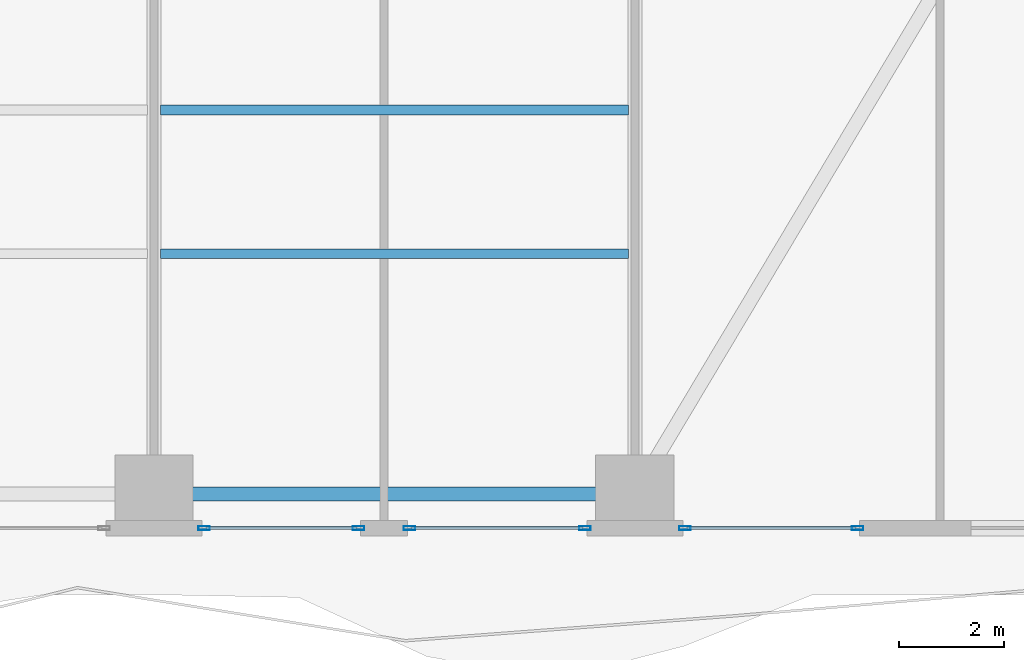
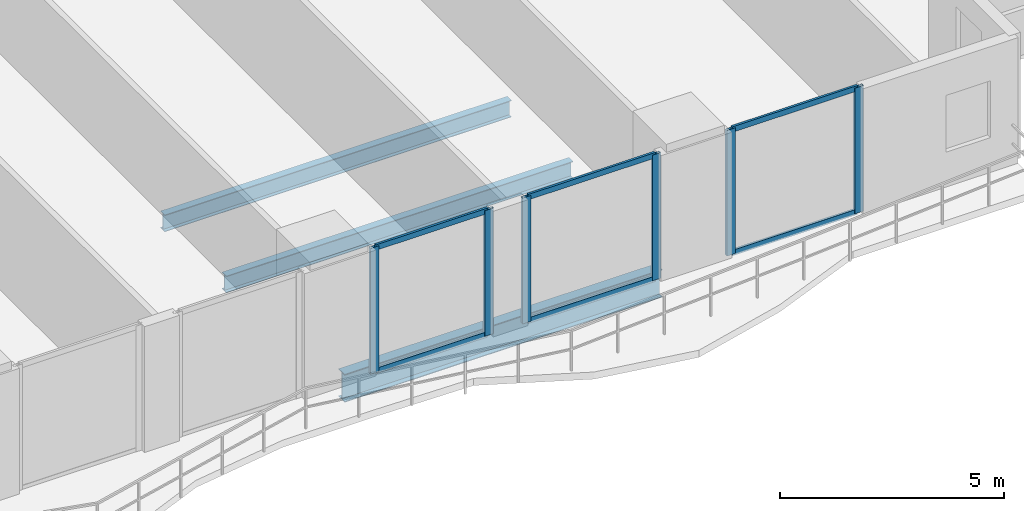
# One storey, part 8 of 29: 12 members, 3 beams, 3 elements without a shape of their own.
"""IFC4 building model written with IfcOpenShell, lengths in metres."""

from ifc_helpers import new_model, si_unit, direction, frame, origin, origin_2d, place, context, subcontext, project, spatial, hollow_rectangle, i_section, extrude, material, layer, layer_set, material_profile, profile_set, type_object, element, aggregate, save


model = new_model("IFC4")

# Units and contexts
model_context = context("Model", 3, precision=1e-05, world=origin(), true_north=direction((0.0, 1.0)))
body_context = subcontext(model_context, "Body", "Model", "MODEL_VIEW")
ifc_project = project(units=[si_unit("LENGTHUNIT", "METRE"), si_unit("AREAUNIT", "SQUARE_METRE"), si_unit("VOLUMEUNIT", "CUBIC_METRE"), si_unit("PLANEANGLEUNIT", "RADIAN"), si_unit("MASSUNIT", "GRAM", prefix="KILO")], contexts=[model_context])

# Site, building, storey
site_placement = place(None, origin())
site = spatial("IfcSite", under=ifc_project, at=site_placement, CompositionType="ELEMENT")
building_placement = place(site_placement, origin())
building = spatial("IfcBuilding", under=site, at=building_placement, Name="Zuhayl Quay Hotel", CompositionType="ELEMENT")
storey_placement = place(building_placement, frame((0.0, 0.0, 67.75)))
storey = spatial("IfcBuildingStorey", under=building, at=storey_placement, Name="L16", CompositionType="ELEMENT", Elevation=67.75)

# Beams
ifc_material_1 = material(Name="Steel ASTM A992 Grade 50", Category="steel")
ifc_material_profile_1 = material_profile(ifc_material_1, i_section(OverallWidth=0.26708984375, OverallDepth=0.761962890625, WebThickness=0.014404296875, FlangeThickness=0.021484375, at=origin_2d()), Name="W30X116")
ifc_profile_set_1 = profile_set([ifc_material_profile_1], Name="Steel ASTM A992 Grade 50")
beam_type_1 = type_object("IfcBeamType", Name="BM_B1_W30X116", PredefinedType="BEAM", material=ifc_profile_set_1)
beam_placement = place(storey_placement, frame((5.10009765625, -22.449951171875, -0.60107421875), z_axis=(1.0, 0.0, 0.0), x_axis=(0.0, 1.0, 0.0)))
element("IfcBeam", 1, at=beam_placement, inside=storey, type_object=beam_type_1, Name="L16 Floor Beam RG_L16_03", PredefinedType="BEAM", context=body_context, shape_type="SweptSolid", body=[
    extrude(i_section(OverallWidth=0.26708984375, OverallDepth=0.761962890625, WebThickness=0.014404296875, FlangeThickness=0.021484375, at=origin_2d()), origin(), (0.0, 0.0, 1.0), 8.199951171875),
])
ifc_material_profile_2 = material_profile(ifc_material_1, i_section(OverallWidth=0.18994140625, OverallDepth=0.45703125, WebThickness=0.009033203125, FlangeThickness=0.014404296875, at=origin_2d()), Name="W18X50")
ifc_profile_set_2 = profile_set([ifc_material_profile_2], Name="Steel ASTM A992 Grade 50")
beam_type_2 = type_object("IfcBeamType", Name="BM_J2_W18X50", PredefinedType="JOIST", material=ifc_profile_set_2)
for number, where, z_axis, x_axis, name in (
    (2, (4.7255859375, -17.85009765625, -0.448486328125), (1.0, 0.0, 0.0), (0.0, 1.0, 0.0), "L16 Floor Beam FJ_L16_3_3"),
    (3, (4.7255859375, -15.10009765625, -0.448486328125), (1.0, 0.0, 0.0), (0.0, 1.0, 0.0), "L16 Floor Beam FJ_L16_4_3"),
):
    element("IfcBeam", number, at=place(storey_placement, frame(where, z_axis=z_axis, x_axis=x_axis)), inside=storey, type_object=beam_type_2, Name=name, PredefinedType="JOIST", context=body_context, shape_type="SweptSolid", body=[
        extrude(i_section(OverallWidth=0.18994140625, OverallDepth=0.45703125, WebThickness=0.009033203125, FlangeThickness=0.014404296875, at=origin_2d()), origin(), (0.0, 0.0, 1.0), 8.948974609375),
    ])

# Curtain wall, members
ifc_material_2 = material(Name="Anodised Aluminium 6063-T6", Category="aluminium")
ifc_layer = layer(ifc_material_2, 0.18994140625, Name="Anodised Aluminium 6063-T6", Category="aluminium")
ifc_layer_set = layer_set([ifc_layer], Name="Anodised Aluminium 6063-T6")
curtain_wall_type = type_object("IfcCurtainWallType", Name="CW_SYS_Z1", PredefinedType="USERDEFINED", material=ifc_layer_set)
curtain_wall_1_placement = place(storey_placement, origin())
curtain_wall_1 = element("IfcCurtainWall", 4, at=curtain_wall_1_placement, inside=storey, type_object=curtain_wall_type, Name="L16 Curtain Wall ENV_L16_S_CW1", ObjectType="UNITISED CURTAIN WALL", PredefinedType="USERDEFINED")
ifc_material_3 = material(Name="Black-anodised aluminium 6063-T6", Category="aluminium")
ifc_material_profile_3 = material_profile(ifc_material_3, hollow_rectangle(XDim=0.074951171875, YDim=0.219970703125, WallThickness=0.00390625, at=origin_2d()), Name="ALU220X75")
ifc_profile_set_3 = profile_set([ifc_material_profile_3], Name="Black-anodised aluminium 6063-T6")
member_type_1 = type_object("IfcMemberType", Name="MB_CW_MUL_220", PredefinedType="MULLION", material=ifc_profile_set_3)
member_1_placement = place(storey_placement, frame((18.0625, -23.10009765625, 0.0), z_axis=(0.0, 0.0, 1.0), x_axis=(0.0, -1.0, 0.0)))
member_1 = element("IfcMember", 5, at=member_1_placement, type_object=member_type_1, Name="CW-Z1 mullion 1", PredefinedType="MULLION", context=body_context, shape_type="SweptSolid", body=[
    extrude(hollow_rectangle(XDim=0.074951171875, YDim=0.219970703125, WallThickness=0.00390625, at=origin_2d()), origin(), (0.0, 0.0, 1.0), 3.429931640625),
])
member_2_placement = place(storey_placement, frame((14.757568359375, -23.10009765625, 0.0), z_axis=(0.0, 0.0, 1.0), x_axis=(0.0, -1.0, 0.0)))
member_2 = element("IfcMember", 6, at=member_2_placement, type_object=member_type_1, Name="CW-Z1 mullion 2", PredefinedType="MULLION", context=body_context, shape_type="SweptSolid", body=[
    extrude(hollow_rectangle(XDim=0.074951171875, YDim=0.219970703125, WallThickness=0.00390625, at=origin_2d()), origin(), (0.0, 0.0, 1.0), 3.429931640625),
])

curtain_wall_2_placement = place(storey_placement, origin())
curtain_wall_2 = element("IfcCurtainWall", 7, at=curtain_wall_2_placement, inside=storey, type_object=curtain_wall_type, Name="L16 Curtain Wall ENV_L16_S_CW2", ObjectType="UNITISED CURTAIN WALL", PredefinedType="USERDEFINED")
member_3_placement = place(storey_placement, frame((12.842529296875, -23.10009765625, 0.0), z_axis=(0.0, 0.0, 1.0), x_axis=(0.0, -1.0, 0.0)))
member_3 = element("IfcMember", 8, at=member_3_placement, type_object=member_type_1, Name="CW-Z1 mullion 1", PredefinedType="MULLION", context=body_context, shape_type="SweptSolid", body=[
    extrude(hollow_rectangle(XDim=0.074951171875, YDim=0.219970703125, WallThickness=0.00390625, at=origin_2d()), origin(), (0.0, 0.0, 1.0), 3.429931640625),
])
member_4_placement = place(storey_placement, frame((9.487548828125, -23.10009765625, 0.0), z_axis=(0.0, 0.0, 1.0), x_axis=(0.0, -1.0, 0.0)))
member_4 = element("IfcMember", 9, at=member_4_placement, type_object=member_type_1, Name="CW-Z1 mullion 2", PredefinedType="MULLION", context=body_context, shape_type="SweptSolid", body=[
    extrude(hollow_rectangle(XDim=0.074951171875, YDim=0.219970703125, WallThickness=0.00390625, at=origin_2d()), origin(), (0.0, 0.0, 1.0), 3.429931640625),
])

curtain_wall_3_placement = place(storey_placement, origin())
curtain_wall_3 = element("IfcCurtainWall", 10, at=curtain_wall_3_placement, inside=storey, type_object=curtain_wall_type, Name="L16 Curtain Wall ENV_L16_S_CW3", ObjectType="UNITISED CURTAIN WALL", PredefinedType="USERDEFINED")
member_5_placement = place(storey_placement, frame((8.512451171875, -23.10009765625, 0.0), z_axis=(0.0, 0.0, 1.0), x_axis=(0.0, -1.0, 0.0)))
member_5 = element("IfcMember", 11, at=member_5_placement, type_object=member_type_1, Name="CW-Z1 mullion 1", PredefinedType="MULLION", context=body_context, shape_type="SweptSolid", body=[
    extrude(hollow_rectangle(XDim=0.074951171875, YDim=0.219970703125, WallThickness=0.00390625, at=origin_2d()), origin(), (0.0, 0.0, 1.0), 3.429931640625),
])
member_6_placement = place(storey_placement, frame((5.5576171875, -23.10009765625, 0.0), z_axis=(0.0, 0.0, 1.0), x_axis=(0.0, -1.0, 0.0)))
member_6 = element("IfcMember", 12, at=member_6_placement, type_object=member_type_1, Name="CW-Z1 mullion 2", PredefinedType="MULLION", context=body_context, shape_type="SweptSolid", body=[
    extrude(hollow_rectangle(XDim=0.074951171875, YDim=0.219970703125, WallThickness=0.00390625, at=origin_2d()), origin(), (0.0, 0.0, 1.0), 3.429931640625),
])

# Member
ifc_material_profile_4 = material_profile(ifc_material_3, hollow_rectangle(XDim=0.06005859375, YDim=0.14990234375, WallThickness=0.00341796875, at=origin_2d()), Name="ALU150X60")
ifc_profile_set_4 = profile_set([ifc_material_profile_4], Name="Black-anodised aluminium 6063-T6")
member_type_2 = type_object("IfcMemberType", Name="MB_CW_TRN_150", PredefinedType="USERDEFINED", material=ifc_profile_set_4)
member_7_placement = place(storey_placement, frame((18.02490234375, -23.10009765625, 0.030029296875), z_axis=(-1.0, 0.0, 0.0), x_axis=(0.0, -1.0, 0.0)))
member_7 = element("IfcMember", 13, at=member_7_placement, type_object=member_type_2, Name="CW-Z1 transom 1.1", ObjectType="TRANSOM", PredefinedType="USERDEFINED", context=body_context, shape_type="SweptSolid", body=[
    extrude(hollow_rectangle(XDim=0.06005859375, YDim=0.14990234375, WallThickness=0.00341796875, at=origin_2d()), origin(), (0.0, 0.0, 1.0), 3.22998046875),
])

member_8_placement = place(storey_placement, frame((18.02490234375, -23.10009765625, 3.39990234375), z_axis=(-1.0, 0.0, 0.0), x_axis=(0.0, -1.0, 0.0)))
member_8 = element("IfcMember", 14, at=member_8_placement, type_object=member_type_2, Name="CW-Z1 transom 1.2", ObjectType="TRANSOM", PredefinedType="USERDEFINED", context=body_context, shape_type="SweptSolid", body=[
    extrude(hollow_rectangle(XDim=0.06005859375, YDim=0.14990234375, WallThickness=0.00341796875, at=origin_2d()), origin(), (0.0, 0.0, 1.0), 3.22998046875),
])

aggregate(curtain_wall_1, [member_1, member_2, member_7, member_8])

member_9_placement = place(storey_placement, frame((12.804931640625, -23.10009765625, 0.030029296875), z_axis=(-1.0, 0.0, 0.0), x_axis=(0.0, -1.0, 0.0)))
member_9 = element("IfcMember", 15, at=member_9_placement, type_object=member_type_2, Name="CW-Z1 transom 1.1", ObjectType="TRANSOM", PredefinedType="USERDEFINED", context=body_context, shape_type="SweptSolid", body=[
    extrude(hollow_rectangle(XDim=0.06005859375, YDim=0.14990234375, WallThickness=0.00341796875, at=origin_2d()), origin(), (0.0, 0.0, 1.0), 3.280029296875),
])

member_10_placement = place(storey_placement, frame((12.804931640625, -23.10009765625, 3.39990234375), z_axis=(-1.0, 0.0, 0.0), x_axis=(0.0, -1.0, 0.0)))
member_10 = element("IfcMember", 16, at=member_10_placement, type_object=member_type_2, Name="CW-Z1 transom 1.2", ObjectType="TRANSOM", PredefinedType="USERDEFINED", context=body_context, shape_type="SweptSolid", body=[
    extrude(hollow_rectangle(XDim=0.06005859375, YDim=0.14990234375, WallThickness=0.00341796875, at=origin_2d()), origin(), (0.0, 0.0, 1.0), 3.280029296875),
])

aggregate(curtain_wall_2, [member_3, member_4, member_9, member_10])

member_11_placement = place(storey_placement, frame((8.47509765625, -23.10009765625, 0.030029296875), z_axis=(-1.0, 0.0, 0.0), x_axis=(0.0, -1.0, 0.0)))
member_11 = element("IfcMember", 17, at=member_11_placement, type_object=member_type_2, Name="CW-Z1 transom 1.1", ObjectType="TRANSOM", PredefinedType="USERDEFINED", context=body_context, shape_type="SweptSolid", body=[
    extrude(hollow_rectangle(XDim=0.06005859375, YDim=0.14990234375, WallThickness=0.00341796875, at=origin_2d()), origin(), (0.0, 0.0, 1.0), 2.880126953125),
])

member_12_placement = place(storey_placement, frame((8.47509765625, -23.10009765625, 3.39990234375), z_axis=(-1.0, 0.0, 0.0), x_axis=(0.0, -1.0, 0.0)))
member_12 = element("IfcMember", 18, at=member_12_placement, type_object=member_type_2, Name="CW-Z1 transom 1.2", ObjectType="TRANSOM", PredefinedType="USERDEFINED", context=body_context, shape_type="SweptSolid", body=[
    extrude(hollow_rectangle(XDim=0.06005859375, YDim=0.14990234375, WallThickness=0.00341796875, at=origin_2d()), origin(), (0.0, 0.0, 1.0), 2.880126953125),
])

aggregate(curtain_wall_3, [member_5, member_6, member_11, member_12])

save(model, "model.ifc")
